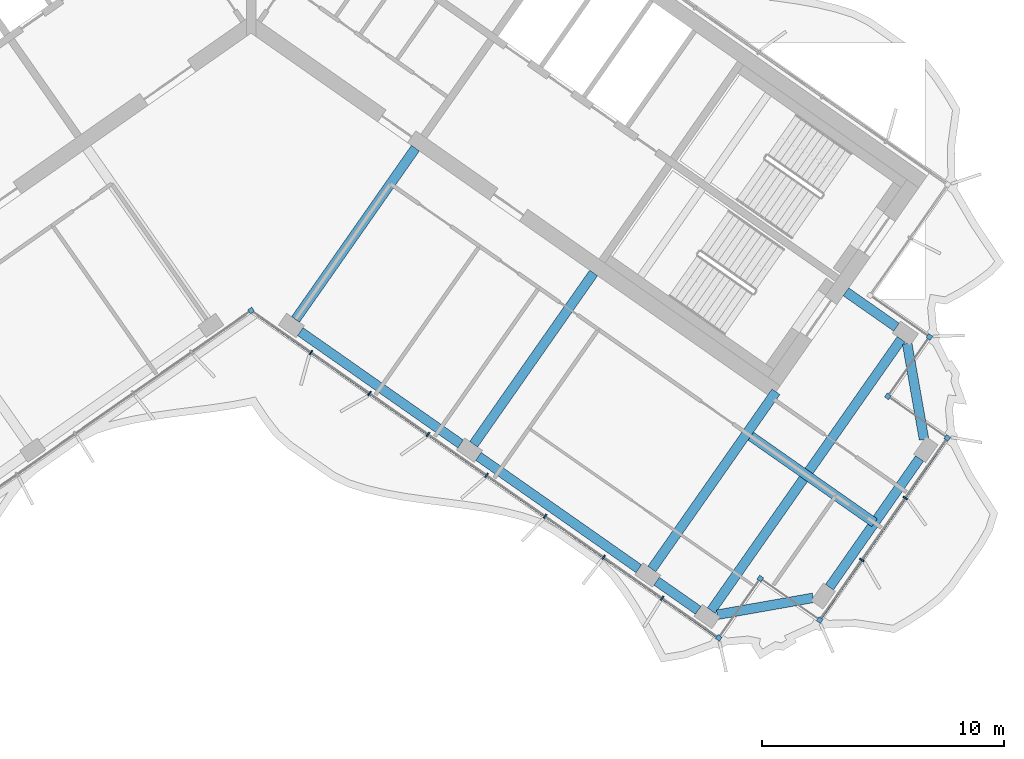
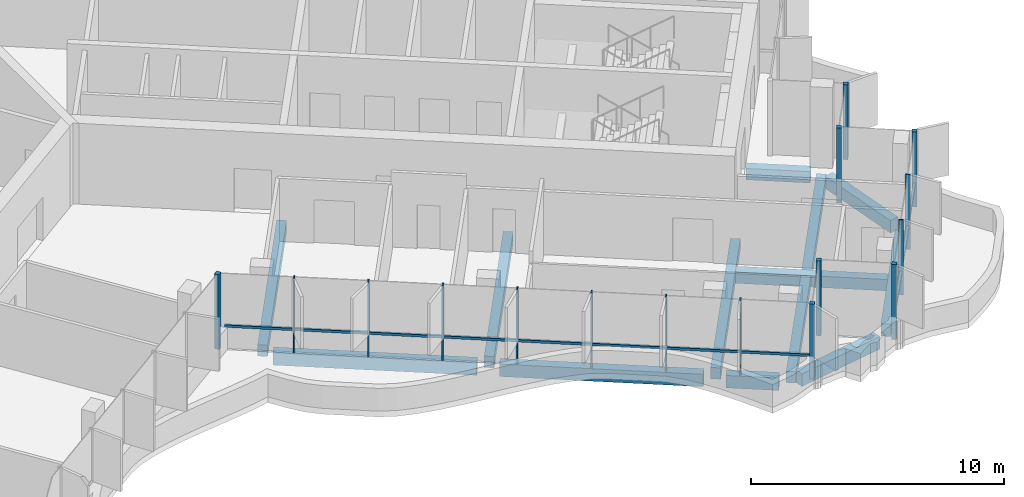
# One storey, part 4 of 17: 18 members, 12 beams, 1 element without a shape of its own.
"""IFC4 building model written with IfcOpenShell, lengths in metres."""

from ifc_helpers import new_model, si_unit, direction, frame, origin, origin_2d, place, context, subcontext, project, spatial, rectangle, extrude, material, material_profile, profile_set, type_object, element, aggregate, save


model = new_model("IFC4")

# Units and contexts
model_context = context("Model", 3, precision=1e-05, world=origin(), true_north=direction((0.0, 1.0)))
body_context = subcontext(model_context, "Body", "Model", "MODEL_VIEW")
ifc_project = project(units=[si_unit("LENGTHUNIT", "METRE"), si_unit("AREAUNIT", "SQUARE_METRE"), si_unit("VOLUMEUNIT", "CUBIC_METRE"), si_unit("PLANEANGLEUNIT", "RADIAN"), si_unit("MASSUNIT", "GRAM", prefix="KILO")], contexts=[model_context])

# Site, building, storey
site_placement = place(None, origin())
site = spatial("IfcSite", under=ifc_project, at=site_placement, CompositionType="ELEMENT")
building_placement = place(site_placement, origin())
building = spatial("IfcBuilding", under=site, at=building_placement, Name="Tel Ilan Convention Tower", CompositionType="ELEMENT")
storey_placement = place(building_placement, frame((0.0, 0.0, 283.89990234375)))
storey = spatial("IfcBuildingStorey", under=building, at=storey_placement, Name="L67", CompositionType="ELEMENT", Elevation=283.89990234375)

# Beams
ifc_material_1 = material(Name="Concrete C40/50", Category="concrete")
ifc_material_profile_1 = material_profile(ifc_material_1, rectangle(XDim=0.39990234375, YDim=0.550048828125, at=origin_2d()), Name="RC 400x550")
ifc_profile_set_1 = profile_set([ifc_material_profile_1], Name="Concrete C40/50")
beam_type_1 = type_object("IfcBeamType", Name="Beam RC 400x550 Concrete C40/50", PredefinedType="BEAM", material=ifc_profile_set_1)
beam_1_placement = place(storey_placement, frame((26.700927734375, -13.385986328125, -0.554931640625), z_axis=(-0.819119449707, 0.573622983424, 0.0), x_axis=(-0.573622983424, -0.819119449707, 0.0)))
element("IfcBeam", 1, at=beam_1_placement, inside=storey, type_object=beam_type_1, Name="L67 beam E-E-BC-core", PredefinedType="BEAM", context=body_context, shape_type="SweptSolid", body=[
    extrude(rectangle(XDim=0.39990234375, YDim=0.550048828125, at=origin_2d()), origin(), (0.0, 0.0, 1.0), 2.5498046875),
])
for number, where, z_axis, x_axis, name in (
    (2, (1.83740234375, -13.06689453125, -0.554931640625), (0.573574099654, 0.819153680457, 0.0), (-0.819153680457, 0.573574099654, 0.0), "L67 beam E-E-F1-core"),
    (3, (9.209716796875, -18.229248046875, -0.554931640625), (0.573574099654, 0.819153680457, 0.0), (-0.819153680457, 0.573574099654, 0.0), "L67 beam E-E-F2-core"),
):
    element("IfcBeam", number, at=place(storey_placement, frame(where, z_axis=z_axis, x_axis=x_axis)), inside=storey, type_object=beam_type_1, Name=name, PredefinedType="BEAM", context=body_context, shape_type="SweptSolid", body=[
        extrude(rectangle(XDim=0.39990234375, YDim=0.550048828125, at=origin_2d()), origin(), (0.0, 0.0, 1.0), 8.64990234375),
    ])
beam_2_placement = place(storey_placement, frame((16.58203125, -23.391357421875, -0.554931640625), z_axis=(0.573584999642, 0.819146048141, 0.0), x_axis=(-0.819146048141, 0.573584999642, 0.0)))
element("IfcBeam", 4, at=beam_2_placement, inside=storey, type_object=beam_type_1, Name="L67 beam E-E-F3-core", PredefinedType="BEAM", context=body_context, shape_type="SweptSolid", body=[
    extrude(rectangle(XDim=0.39990234375, YDim=0.550048828125, at=origin_2d()), origin(), (0.0, 0.0, 1.0), 8.949951171875),
])
beam_3_placement = place(storey_placement, frame((20.6748046875, -17.89501953125, -0.554931640625), z_axis=(0.819171356584, -0.573548854548, 0.0), x_axis=(0.573548854548, 0.819171356584, 0.0)))
element("IfcBeam", 5, at=beam_3_placement, inside=storey, type_object=beam_type_1, Name="L67 beam E-core-end", PredefinedType="BEAM", context=body_context, shape_type="SweptSolid", body=[
    extrude(rectangle(XDim=0.39990234375, YDim=0.550048828125, at=origin_2d()), origin(), (0.0, 0.0, 1.0), 6.25),
])
beam_4_placement = place(storey_placement, frame((19.03955078125, -25.112060546875, -0.554931640625), z_axis=(0.57357117602, 0.819155727587, 0.0), x_axis=(-0.819155727587, 0.57357117602, 0.0)))
element("IfcBeam", 6, at=beam_4_placement, inside=storey, type_object=beam_type_1, Name="L67 beam E-E-FC-E-BC", PredefinedType="BEAM", context=body_context, shape_type="SweptSolid", body=[
    extrude(rectangle(XDim=0.39990234375, YDim=0.550048828125, at=origin_2d()), origin(), (0.0, 0.0, 1.0), 13.699951171875),
])
ifc_material_2 = material(Name="Concrete C40/50", Category="concrete")
ifc_material_profile_2 = material_profile(ifc_material_2, rectangle(XDim=0.39990234375, YDim=0.60009765625, at=origin_2d()), Name="RC 400x600")
ifc_profile_set_2 = profile_set([ifc_material_profile_2], Name="Concrete C40/50")
beam_type_2 = type_object("IfcBeamType", Name="Beam RC 400x600 Concrete C40/50", PredefinedType="BEAM", material=ifc_profile_set_2)
beam_5_placement = place(storey_placement, frame((2.033935546875, -13.57080078125, -0.579833984375), z_axis=(0.81914553362, -0.573585734437, 0.0), x_axis=(0.573585734437, 0.81914553362, 0.0)))
element("IfcBeam", 7, at=beam_5_placement, inside=storey, type_object=beam_type_2, Name="L67 beam E-E-F1-E-F2", PredefinedType="BEAM", context=body_context, shape_type="SweptSolid", body=[
    extrude(rectangle(XDim=0.39990234375, YDim=0.60009765625, at=origin_2d()), origin(), (0.0, 0.0, 1.0), 8.099853515625),
])
beam_6_placement = place(storey_placement, frame((9.40625, -18.73291015625, -0.579833984375), z_axis=(0.819155449703, -0.573571572885, 0.0), x_axis=(0.573571572885, 0.819155449703, 0.0)))
element("IfcBeam", 8, at=beam_6_placement, inside=storey, type_object=beam_type_2, Name="L67 beam E-E-F2-E-F3", PredefinedType="BEAM", context=body_context, shape_type="SweptSolid", body=[
    extrude(rectangle(XDim=0.39990234375, YDim=0.60009765625, at=origin_2d()), origin(), (0.0, 0.0, 1.0), 8.10009765625),
])
beam_7_placement = place(storey_placement, frame((16.778564453125, -23.895263671875, -0.579833984375), z_axis=(0.819188222026, -0.573524765719, 0.0), x_axis=(0.573524765719, 0.819188222026, 0.0)))
element("IfcBeam", 9, at=beam_7_placement, inside=storey, type_object=beam_type_2, Name="L67 beam E-E-F3-E-FC", PredefinedType="BEAM", context=body_context, shape_type="SweptSolid", body=[
    extrude(rectangle(XDim=0.39990234375, YDim=0.60009765625, at=origin_2d()), origin(), (0.0, 0.0, 1.0), 2.099853515625),
])
beam_8_placement = place(storey_placement, frame((19.285400390625, -25.2841796875, -0.579833984375), z_axis=(0.984804894423, 0.173664388751, 0.0), x_axis=(-0.173664388751, 0.984804894423, 0.0)))
element("IfcBeam", 10, at=beam_8_placement, inside=storey, type_object=beam_type_2, Name="L67 beam E-E-FC-E-E1", PredefinedType="BEAM", context=body_context, shape_type="SweptSolid", body=[
    extrude(rectangle(XDim=0.39990234375, YDim=0.60009765625, at=origin_2d()), origin(), (0.0, 0.0, 1.0), 4.030517578125),
])
beam_9_placement = place(storey_placement, frame((23.930419921875, -24.14208984375, -0.579833984375), z_axis=(0.573563169494, 0.819161333682, 0.0), x_axis=(-0.819161333682, 0.573563169494, 0.0)))
element("IfcBeam", 11, at=beam_9_placement, inside=storey, type_object=beam_type_2, Name="L67 beam E-E-E1-E-E2", PredefinedType="BEAM", context=body_context, shape_type="SweptSolid", body=[
    extrude(rectangle(XDim=0.39990234375, YDim=0.60009765625, at=origin_2d()), origin(), (0.0, 0.0, 1.0), 6.500244140625),
])
beam_10_placement = place(storey_placement, frame((27.84326171875, -18.031005859375, -0.579833984375), z_axis=(-0.173664388751, 0.984804894423, 0.0), x_axis=(-0.984804894423, -0.173664388751, 0.0)))
element("IfcBeam", 12, at=beam_10_placement, inside=storey, type_object=beam_type_2, Name="L67 beam E-E-E2-E-BC", PredefinedType="BEAM", context=body_context, shape_type="SweptSolid", body=[
    extrude(rectangle(XDim=0.39990234375, YDim=0.60009765625, at=origin_2d()), origin(), (0.0, 0.0, 1.0), 4.030517578125),
])

# Curtain wall, members
ifc_material_3 = material(Name="Aluminium, bronze anodised", Category="aluminium")
curtain_wall_type = type_object("IfcCurtainWallType", Name="CW5 STICK CURTAIN WALL, UPPER OFFICE LOW-IRON TINTED GLASS", PredefinedType="NOTDEFINED", material=ifc_material_3)
curtain_wall_placement = place(storey_placement, origin())
curtain_wall = element("IfcCurtainWall", 13, at=curtain_wall_placement, inside=storey, type_object=curtain_wall_type, Name="Curtain wall CW5-50.02", PredefinedType="NOTDEFINED")
ifc_material_4 = material(Name="Aluminium, bronze anodised", Category="aluminium")
ifc_material_profile_3 = material_profile(ifc_material_4, rectangle(XDim=0.199951171875, YDim=0.199951171875, at=origin_2d()), Name="CW CORNER MULLION 200x200")
ifc_profile_set_3 = profile_set([ifc_material_profile_3], Name="Aluminium, bronze anodised")
member_type_1 = type_object("IfcMemberType", Name="CW CORNER MULLION 200x200", PredefinedType="MULLION", material=ifc_profile_set_3)
member_1_placement = place(storey_placement, frame((0.0, -12.696044921875, 0.0), z_axis=(0.0, 0.0, 1.0), x_axis=(0.819152044289, 0.573576436351, 0.0)))
member_1 = element("IfcMember", 14, at=member_1_placement, type_object=member_type_1, Name="Corner mullion", PredefinedType="MULLION", context=body_context, shape_type="SweptSolid", body=[
    extrude(rectangle(XDim=0.199951171875, YDim=0.199951171875, at=origin_2d()), origin(), (0.0, 0.0, 1.0), 3.6201171875),
])
member_2_placement = place(storey_placement, frame((19.3466796875, -26.24267578125, 0.0), z_axis=(0.0, 0.0, 1.0), x_axis=(0.819152044289, -0.573576436351, 0.0)))
member_2 = element("IfcMember", 15, at=member_2_placement, type_object=member_type_1, Name="Corner mullion", PredefinedType="MULLION", context=body_context, shape_type="SweptSolid", body=[
    extrude(rectangle(XDim=0.199951171875, YDim=0.199951171875, at=origin_2d()), origin(), (0.0, 0.0, 1.0), 3.6201171875),
])
member_3_placement = place(storey_placement, frame((21.0673828125, -23.78515625, 0.0), z_axis=(0.0, 0.0, 1.0), x_axis=(0.573576436351, 0.819152044289, 0.0)))
member_3 = element("IfcMember", 16, at=member_3_placement, type_object=member_type_1, Name="Corner mullion", PredefinedType="MULLION", context=body_context, shape_type="SweptSolid", body=[
    extrude(rectangle(XDim=0.199951171875, YDim=0.199951171875, at=origin_2d()), origin(), (0.0, 0.0, 1.0), 3.6201171875),
])
member_4_placement = place(storey_placement, frame((23.52490234375, -25.505859375, 0.0), z_axis=(0.0, 0.0, 1.0), x_axis=(0.819152044289, -0.573576436351, 0.0)))
member_4 = element("IfcMember", 17, at=member_4_placement, type_object=member_type_1, Name="Corner mullion", PredefinedType="MULLION", context=body_context, shape_type="SweptSolid", body=[
    extrude(rectangle(XDim=0.199951171875, YDim=0.199951171875, at=origin_2d()), origin(), (0.0, 0.0, 1.0), 3.6201171875),
])
member_5_placement = place(storey_placement, frame((28.8017578125, -17.9697265625, 0.0), z_axis=(0.0, 0.0, 1.0), x_axis=(0.573576436351, 0.819152044289, 0.0)))
member_5 = element("IfcMember", 18, at=member_5_placement, type_object=member_type_1, Name="Corner mullion", PredefinedType="MULLION", context=body_context, shape_type="SweptSolid", body=[
    extrude(rectangle(XDim=0.199951171875, YDim=0.199951171875, at=origin_2d()), origin(), (0.0, 0.0, 1.0), 3.6201171875),
])
member_6_placement = place(storey_placement, frame((26.34423828125, -16.2490234375, 0.0), z_axis=(0.0, 0.0, 1.0), x_axis=(-0.819152044289, 0.573576436351, 0.0)))
member_6 = element("IfcMember", 19, at=member_6_placement, type_object=member_type_1, Name="Corner mullion", PredefinedType="MULLION", context=body_context, shape_type="SweptSolid", body=[
    extrude(rectangle(XDim=0.199951171875, YDim=0.199951171875, at=origin_2d()), origin(), (0.0, 0.0, 1.0), 3.6201171875),
])
member_7_placement = place(storey_placement, frame((28.06494140625, -13.79150390625, 0.0), z_axis=(0.0, 0.0, 1.0), x_axis=(0.573576436351, 0.819152044289, 0.0)))
member_7 = element("IfcMember", 20, at=member_7_placement, type_object=member_type_1, Name="Corner mullion", PredefinedType="MULLION", context=body_context, shape_type="SweptSolid", body=[
    extrude(rectangle(XDim=0.199951171875, YDim=0.199951171875, at=origin_2d()), origin(), (0.0, 0.0, 1.0), 3.6201171875),
])
ifc_material_5 = material(Name="Aluminium, bronze anodised", Category="aluminium")
ifc_material_profile_4 = material_profile(ifc_material_5, rectangle(XDim=0.06005859375, YDim=0.199951171875, at=origin_2d()), Name="CW MULLION 60x200")
ifc_profile_set_4 = profile_set([ifc_material_profile_4], Name="Aluminium, bronze anodised")
member_type_2 = type_object("IfcMemberType", Name="CW MULLION 60x200", PredefinedType="MULLION", material=ifc_profile_set_4)
member_8_placement = place(storey_placement, frame((2.478759765625, -14.431640625, 0.0), z_axis=(0.0, 0.0, 1.0), x_axis=(0.819152044289, -0.573576436351, 0.0)))
member_8 = element("IfcMember", 21, at=member_8_placement, type_object=member_type_2, Name="Mullion", PredefinedType="MULLION", context=body_context, shape_type="SweptSolid", body=[
    extrude(rectangle(XDim=0.06005859375, YDim=0.199951171875, at=origin_2d()), origin(), (0.0, 0.0, 1.0), 3.6201171875),
])
member_9_placement = place(storey_placement, frame((4.900146484375, -16.127197265625, 0.0), z_axis=(0.0, 0.0, 1.0), x_axis=(0.819152044289, -0.573576436351, 0.0)))
member_9 = element("IfcMember", 22, at=member_9_placement, type_object=member_type_2, Name="Mullion", PredefinedType="MULLION", context=body_context, shape_type="SweptSolid", body=[
    extrude(rectangle(XDim=0.06005859375, YDim=0.199951171875, at=origin_2d()), origin(), (0.0, 0.0, 1.0), 3.6201171875),
])
member_10_placement = place(storey_placement, frame((7.321533203125, -17.82275390625, 0.0), z_axis=(0.0, 0.0, 1.0), x_axis=(0.819152044289, -0.573576436351, 0.0)))
member_10 = element("IfcMember", 23, at=member_10_placement, type_object=member_type_2, Name="Mullion", PredefinedType="MULLION", context=body_context, shape_type="SweptSolid", body=[
    extrude(rectangle(XDim=0.06005859375, YDim=0.199951171875, at=origin_2d()), origin(), (0.0, 0.0, 1.0), 3.6201171875),
])
member_11_placement = place(storey_placement, frame((9.742919921875, -19.51806640625, 0.0), z_axis=(0.0, 0.0, 1.0), x_axis=(0.819152044289, -0.573576436351, 0.0)))
member_11 = element("IfcMember", 24, at=member_11_placement, type_object=member_type_2, Name="Mullion", PredefinedType="MULLION", context=body_context, shape_type="SweptSolid", body=[
    extrude(rectangle(XDim=0.06005859375, YDim=0.199951171875, at=origin_2d()), origin(), (0.0, 0.0, 1.0), 3.6201171875),
])
member_12_placement = place(storey_placement, frame((12.164306640625, -21.213623046875, 0.0), z_axis=(0.0, 0.0, 1.0), x_axis=(0.819152044289, -0.573576436351, 0.0)))
member_12 = element("IfcMember", 25, at=member_12_placement, type_object=member_type_2, Name="Mullion", PredefinedType="MULLION", context=body_context, shape_type="SweptSolid", body=[
    extrude(rectangle(XDim=0.06005859375, YDim=0.199951171875, at=origin_2d()), origin(), (0.0, 0.0, 1.0), 3.6201171875),
])
member_13_placement = place(storey_placement, frame((14.585693359375, -22.9091796875, 0.0), z_axis=(0.0, 0.0, 1.0), x_axis=(0.819152044289, -0.573576436351, 0.0)))
member_13 = element("IfcMember", 26, at=member_13_placement, type_object=member_type_2, Name="Mullion", PredefinedType="MULLION", context=body_context, shape_type="SweptSolid", body=[
    extrude(rectangle(XDim=0.06005859375, YDim=0.199951171875, at=origin_2d()), origin(), (0.0, 0.0, 1.0), 3.6201171875),
])
member_14_placement = place(storey_placement, frame((17.007080078125, -24.6044921875, 0.0), z_axis=(0.0, 0.0, 1.0), x_axis=(0.819152044289, -0.573576436351, 0.0)))
member_14 = element("IfcMember", 27, at=member_14_placement, type_object=member_type_2, Name="Mullion", PredefinedType="MULLION", context=body_context, shape_type="SweptSolid", body=[
    extrude(rectangle(XDim=0.06005859375, YDim=0.199951171875, at=origin_2d()), origin(), (0.0, 0.0, 1.0), 3.6201171875),
])
member_15_placement = place(storey_placement, frame((25.2646484375, -23.021240234375, 0.0), z_axis=(0.0, 0.0, 1.0), x_axis=(0.573576436351, 0.819152044289, 0.0)))
member_15 = element("IfcMember", 28, at=member_15_placement, type_object=member_type_2, Name="Mullion", PredefinedType="MULLION", context=body_context, shape_type="SweptSolid", body=[
    extrude(rectangle(XDim=0.06005859375, YDim=0.199951171875, at=origin_2d()), origin(), (0.0, 0.0, 1.0), 3.6201171875),
])
member_16_placement = place(storey_placement, frame((27.061767578125, -20.45458984375, 0.0), z_axis=(0.0, 0.0, 1.0), x_axis=(0.573576436351, 0.819152044289, 0.0)))
member_16 = element("IfcMember", 29, at=member_16_placement, type_object=member_type_2, Name="Mullion", PredefinedType="MULLION", context=body_context, shape_type="SweptSolid", body=[
    extrude(rectangle(XDim=0.06005859375, YDim=0.199951171875, at=origin_2d()), origin(), (0.0, 0.0, 1.0), 3.6201171875),
])
ifc_material_6 = material(Name="Aluminium, bronze anodised", Category="aluminium")
ifc_material_profile_5 = material_profile(ifc_material_6, rectangle(XDim=0.10009765625, YDim=0.1201171875, at=origin_2d()), Name="CW TRANSOM 100x120")
ifc_profile_set_5 = profile_set([ifc_material_profile_5], Name="Aluminium, bronze anodised")
member_type_3 = type_object("IfcMemberType", Name="CW TRANSOM 100x120", PredefinedType="USERDEFINED", material=ifc_profile_set_5)
member_17_placement = place(storey_placement, frame((0.22119140625, -12.850830078125, 1.10009765625), z_axis=(0.81915001336, -0.573579336808, 0.0), x_axis=(0.573579336808, 0.81915001336, 0.0)))
member_17 = element("IfcMember", 30, at=member_17_placement, type_object=member_type_3, Name="Transom", ObjectType="TRANSOM", PredefinedType="USERDEFINED", context=body_context, shape_type="SweptSolid", body=[
    extrude(rectangle(XDim=0.10009765625, YDim=0.1201171875, at=origin_2d()), origin(), (0.0, 0.0, 1.0), 23.247802734375),
])
member_18_placement = place(storey_placement, frame((23.58203125, -25.424072265625, 1.10009765625), z_axis=(0.573591598124, 0.819141427692, 0.0), x_axis=(-0.819141427692, 0.573591598124, 0.0)))
member_18 = element("IfcMember", 31, at=member_18_placement, type_object=member_type_3, Name="Transom", ObjectType="TRANSOM", PredefinedType="USERDEFINED", context=body_context, shape_type="SweptSolid", body=[
    extrude(rectangle(XDim=0.10009765625, YDim=0.1201171875, at=origin_2d()), origin(), (0.0, 0.0, 1.0), 9.0),
])
aggregate(curtain_wall, [member_1, member_8, member_9, member_10, member_11, member_12, member_13, member_14, member_2, member_17, member_3, member_4, member_15, member_16, member_5, member_18, member_6, member_7])

save(model, "model.ifc")
